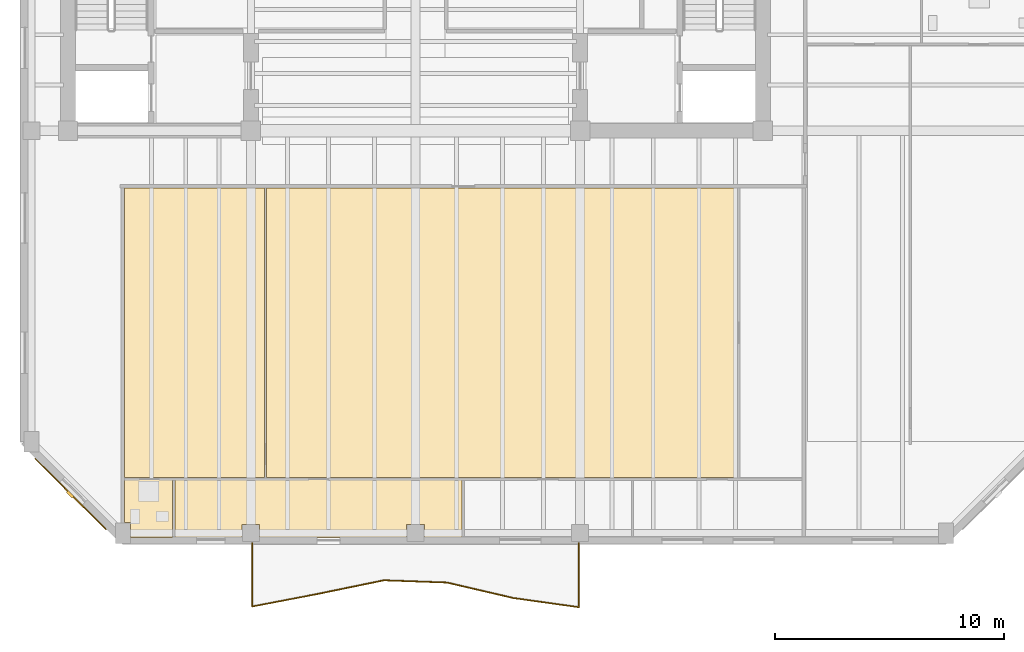
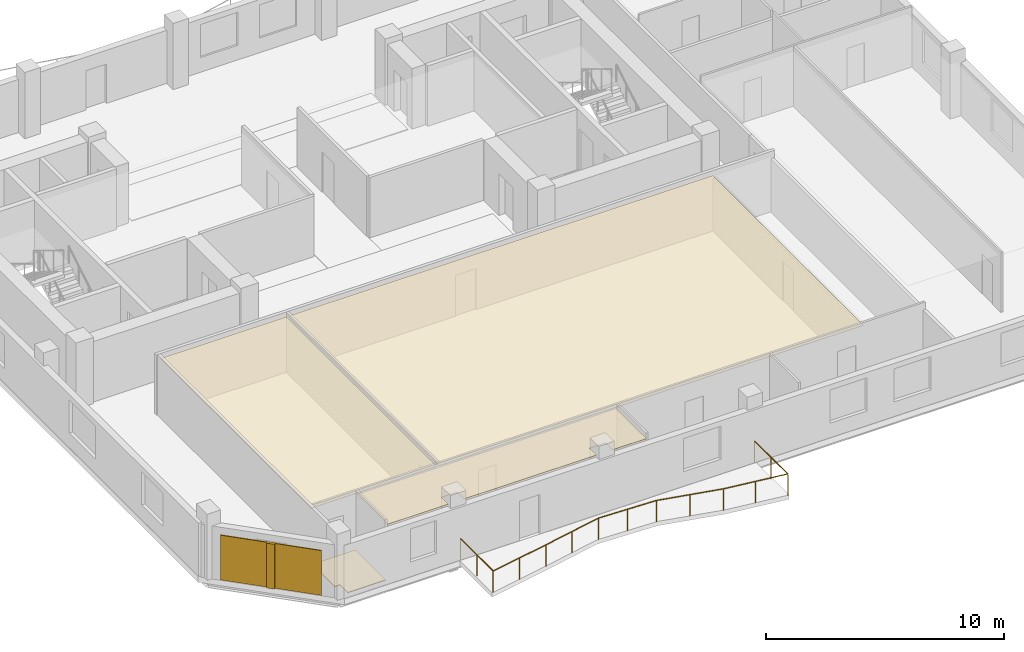
# One storey, part 6 of 9: 5 coverings, 1 railing, 1 shading device.
"""IFC4 building model written with IfcOpenShell, lengths in metres."""

from ifc_helpers import new_model, si_unit, direction, frame, origin, origin_2d, place, context, subcontext, project, spatial, polyline, rectangle, circle, outline, extrude, material, layer, layer_set, type_object, element, save


model = new_model("IFC4")

# Units and contexts
model_context = context("Model", 3, precision=1e-05, world=origin(), true_north=direction((0.0, 1.0)))
body_context = subcontext(model_context, "Body", "Model", "MODEL_VIEW")
ifc_project = project(units=[si_unit("LENGTHUNIT", "METRE"), si_unit("AREAUNIT", "SQUARE_METRE"), si_unit("VOLUMEUNIT", "CUBIC_METRE"), si_unit("PLANEANGLEUNIT", "RADIAN"), si_unit("MASSUNIT", "GRAM", prefix="KILO")], contexts=[model_context])

# Site, building, storey
site_placement = place(None, origin())
site = spatial("IfcSite", under=ifc_project, at=site_placement, CompositionType="ELEMENT")
building_placement = place(site_placement, origin())
building = spatial("IfcBuilding", under=site, at=building_placement, Name="Kranthara Brick Stack", CompositionType="ELEMENT")
storey_placement = place(building_placement, frame((0.0, 0.0, 241.5)))
storey = spatial("IfcBuildingStorey", under=building, at=storey_placement, Name="L63", CompositionType="ELEMENT", Elevation=241.5)

# Coverings
ifc_material_1 = material(Name="Perforated mineral-fibre acoustic ceiling tile", Category="other")
ifc_layer_1 = layer(ifc_material_1, 0.02490234375)
ifc_layer_set_1 = layer_set([ifc_layer_1], Name="Perforated mineral-fibre acoustic ceiling tile")
covering_type_1 = type_object("IfcCoveringType", Name="COV-CEIL-ACOUSTIC", PredefinedType="CEILING", material=ifc_layer_set_1)
covering_1_placement = place(storey_placement, frame((0.0, 0.0, 2.830078125)))
element("IfcCovering", 1, at=covering_1_placement, inside=storey, type_object=covering_type_1, Name="L63 Unit L63A 3-Bed Apartment Living Dining Acoustic Ceiling", PredefinedType="CEILING", context=body_context, shape_type="SweptSolid", body=[
    extrude(outline(polyline([(21.385986328125, 5.6298828125), (21.385986328125, 18.300048828125), (15.280029296875, 18.300048828125), (15.280029296875, 5.6298828125), (21.385986328125, 5.6298828125)])), origin(), (0.0, 0.0, 1.0), 0.02490234375),
])
covering_2_placement = place(storey_placement, frame((0.0, 0.0, 2.830078125)))
element("IfcCovering", 2, at=covering_2_placement, inside=storey, type_object=covering_type_1, Name="L63 Unit L63A Private Study Room Acoustic Ceiling", PredefinedType="CEILING", context=body_context, shape_type="SweptSolid", body=[
    extrude(outline(polyline([(42.087890625, 5.6298828125), (42.087890625, 18.300048828125), (21.486083984375, 18.300048828125), (21.486083984375, 5.6298828125), (42.087890625, 5.6298828125)])), origin(), (0.0, 0.0, 1.0), 0.02490234375),
])
covering_3_placement = place(storey_placement, frame((0.0, 0.0, 2.830078125)))
element("IfcCovering", 3, at=covering_3_placement, inside=storey, type_object=covering_type_1, Name="L63 Unit L63A Kitchen Acoustic Ceiling", PredefinedType="CEILING", context=body_context, shape_type="SweptSolid", body=[
    extrude(outline(polyline([(17.47998046875, 5.550048828125), (30.0400390625, 5.550048828125), (30.0400390625, 3.0), (28.385009765625, 3.0), (28.385009765625, 3.5849609375), (27.614990234375, 3.5849609375), (27.614990234375, 3.0), (21.18505859375, 3.0), (21.18505859375, 3.5849609375), (20.4150390625, 3.5849609375), (20.4150390625, 3.0), (17.47998046875, 3.0), (17.47998046875, 5.550048828125)])), origin(), (0.0, 0.0, 1.0), 0.02490234375),
])
ifc_material_2 = material(Name="Warm buff kiln-fired brick slip rainscreen", Category="masonry")
ifc_layer_2 = layer(ifc_material_2, 0.044921875)
ifc_layer_set_2 = layer_set([ifc_layer_2], Name="Warm buff kiln-fired brick slip rainscreen")
covering_type_2 = type_object("IfcCoveringType", Name="COV-CLAD-BRICK", PredefinedType="CLADDING", material=ifc_layer_set_2)
covering_4_placement = place(storey_placement, frame((12.91259765625, 4.91259765625, 0.0498046875), z_axis=(0.0, 0.0, 1.0), x_axis=(-0.707106781187, 0.707106781187, 0.0)))
element("IfcCovering", 4, at=covering_4_placement, inside=storey, type_object=covering_type_2, Name="L63 Chamfer Brick Rainscreen Cladding SW", PredefinedType="CLADDING", context=body_context, shape_type="SweptSolid", body=[
    extrude(rectangle(XDim=4.39892578125, YDim=0.044921875, at=origin_2d()), origin(), (0.0, 0.0, 1.0), 2.300048828125),
])
ifc_material_3 = material(Name="Honed terrazzo and porcelain floor finish", Category="stone")
ifc_layer_3 = layer(ifc_material_3, 0.030029296875)
ifc_layer_set_3 = layer_set([ifc_layer_3], Name="Honed terrazzo and porcelain floor finish")
covering_type_3 = type_object("IfcCoveringType", Name="COV-FLOR-STONE", PredefinedType="FLOORING", material=ifc_layer_set_3)
covering_5_placement = place(storey_placement, origin())
element("IfcCovering", 5, at=covering_5_placement, inside=storey, type_object=covering_type_3, Name="L63 Wet Room Porcelain Flooring", PredefinedType="FLOORING", context=body_context, shape_type="SweptSolid", body=[
    extrude(outline(polyline([(15.280029296875, 5.550048828125), (17.3798828125, 5.550048828125), (17.3798828125, 3.0), (15.534912109375, 3.0), (15.534912109375, 3.659912109375), (15.280029296875, 3.659912109375), (15.280029296875, 5.550048828125)])), origin(), (0.0, 0.0, 1.0), 0.030029296875),
])

# Railing
ifc_material_4 = material(Name="Bronze anodised aluminium and laminated glass balustrade", Category="aluminium")
railing_type = type_object("IfcRailingType", Name="RL-BALC-1120", PredefinedType="BALUSTRADE", material=ifc_material_4)
railing_placement = place(storey_placement, frame((35.139892578125, 2.760009765625, 0.0)))
element("IfcRailing", 6, at=railing_placement, inside=storey, type_object=railing_type, Name="L63 South Rippling Balcony Balustrade", PredefinedType="BALUSTRADE", context=body_context, shape_type="SweptSolid", body=[
    extrude(circle(Radius=0.02392578125, at=origin_2d()), frame((0.0, 0.0, 1.09619140625), z_axis=(0.000261483474, -0.999999965813, 0.0), x_axis=(0.999999965813, 0.000261483474, 0.0)), (0.0, 0.0, 1.0), 2.801025390625),
    extrude(circle(Radius=0.02392578125, at=origin_2d()), frame((0.000732421875, -2.801025390625, 1.09619140625), z_axis=(-0.990335290044, 0.138693955506, 0.0), x_axis=(-0.138693955506, -0.990335290044, 0.0)), (0.0, 0.0, 1.0), 2.907958984375),
    extrude(circle(Radius=0.02392578125, at=origin_2d()), frame((-2.879150390625, -2.397705078125, 1.09619140625), z_axis=(-0.973774209724, 0.227516567475, 0.0), x_axis=(-0.227516567475, -0.973774209724, 0.0)), (0.0, 0.0, 1.0), 2.95849609375),
    extrude(circle(Radius=0.02392578125, at=origin_2d()), frame((-5.760009765625, -1.724609375, 1.09619140625), z_axis=(-0.999349383314, 0.036066744661, 0.0), x_axis=(-0.036066744661, -0.999349383314, 0.0)), (0.0, 0.0, 1.0), 2.76171875),
    extrude(circle(Radius=0.02392578125, at=origin_2d()), frame((-8.52001953125, -1.625, 1.09619140625), z_axis=(-0.979374983714, -0.202051085808, 0.0), x_axis=(0.202051085808, -0.979374983714, 0.0)), (0.0, 0.0, 1.0), 2.94091796875),
    extrude(circle(Radius=0.02392578125, at=origin_2d()), frame((-11.400390625, -2.21923828125, 1.09619140625), z_axis=(-0.98217056733, -0.18799195906, 0.0), x_axis=(0.18799195906, -0.98217056733, 0.0)), (0.0, 0.0, 1.0), 2.932373046875),
    extrude(circle(Radius=0.02392578125, at=origin_2d()), frame((-14.280517578125, -2.7705078125, 1.09619140625), z_axis=(0.000264363755, 0.999999965056, 0.0), x_axis=(-0.999999965056, 0.000264363755, 0.0)), (0.0, 0.0, 1.0), 2.7705078125),
    extrude(circle(Radius=0.02099609375, at=origin_2d()), origin(), (0.0, 0.0, 1.0), 1.072021484375),
    extrude(circle(Radius=0.02099609375, at=origin_2d()), frame((0.00048828125, -1.400390625, 0.0)), (0.0, 0.0, 1.0), 1.072021484375),
    extrude(circle(Radius=0.02099609375, at=origin_2d()), frame((0.000732421875, -2.801025390625, 0.0)), (0.0, 0.0, 1.0), 1.072021484375),
    extrude(circle(Radius=0.02099609375, at=origin_2d()), frame((-1.439208984375, -2.599365234375, 0.0)), (0.0, 0.0, 1.0), 1.072021484375),
    extrude(circle(Radius=0.02099609375, at=origin_2d()), frame((-2.879150390625, -2.397705078125, 0.0)), (0.0, 0.0, 1.0), 1.072021484375),
    extrude(circle(Radius=0.02099609375, at=origin_2d()), frame((-4.319580078125, -2.06103515625, 0.0)), (0.0, 0.0, 1.0), 1.072021484375),
    extrude(circle(Radius=0.02099609375, at=origin_2d()), frame((-5.760009765625, -1.724609375, 0.0)), (0.0, 0.0, 1.0), 1.072021484375),
    extrude(circle(Radius=0.02099609375, at=origin_2d()), frame((-7.14013671875, -1.6748046875, 0.0)), (0.0, 0.0, 1.0), 1.072021484375),
    extrude(circle(Radius=0.02099609375, at=origin_2d()), frame((-8.52001953125, -1.625, 0.0)), (0.0, 0.0, 1.0), 1.072021484375),
    extrude(circle(Radius=0.02099609375, at=origin_2d()), frame((-9.960205078125, -1.922119140625, 0.0)), (0.0, 0.0, 1.0), 1.072021484375),
    extrude(circle(Radius=0.02099609375, at=origin_2d()), frame((-11.400390625, -2.21923828125, 0.0)), (0.0, 0.0, 1.0), 1.072021484375),
    extrude(circle(Radius=0.02099609375, at=origin_2d()), frame((-12.84033203125, -2.494873046875, 0.0)), (0.0, 0.0, 1.0), 1.072021484375),
    extrude(circle(Radius=0.02099609375, at=origin_2d()), frame((-14.280517578125, -2.7705078125, 0.0)), (0.0, 0.0, 1.0), 1.072021484375),
    extrude(circle(Radius=0.02099609375, at=origin_2d()), frame((-14.2802734375, -1.38525390625, 0.0)), (0.0, 0.0, 1.0), 1.072021484375),
    extrude(circle(Radius=0.02099609375, at=origin_2d()), frame((-14.27978515625, 0.0, 0.0)), (0.0, 0.0, 1.0), 1.072021484375),
])

# Shading device
ifc_material_5 = material(Name="Kiln-fired terracotta aerodynamic wind fin", Category="masonry")
shading_device_type = type_object("IfcShadingDeviceType", Name="SHD-BAFFLE-CORNER", PredefinedType="SHUTTER", material=ifc_material_5)
shading_device_placement = place(storey_placement, frame((12.8916015625, 4.8916015625, 0.0498046875), z_axis=(0.0, 0.0, 1.0), x_axis=(-0.707106781187, 0.707106781187, 0.0)))
element("IfcShadingDevice", 7, at=shading_device_placement, inside=storey, type_object=shading_device_type, Name="L63 Chamfer Wind-Baffle Fin SW", PredefinedType="SHUTTER", context=body_context, shape_type="SweptSolid", body=[
    extrude(rectangle(XDim=0.35009765625, YDim=0.1201171875, at=origin_2d()), origin(), (0.0, 0.0, 1.0), 2.300048828125),
])

save(model, "model.ifc")
